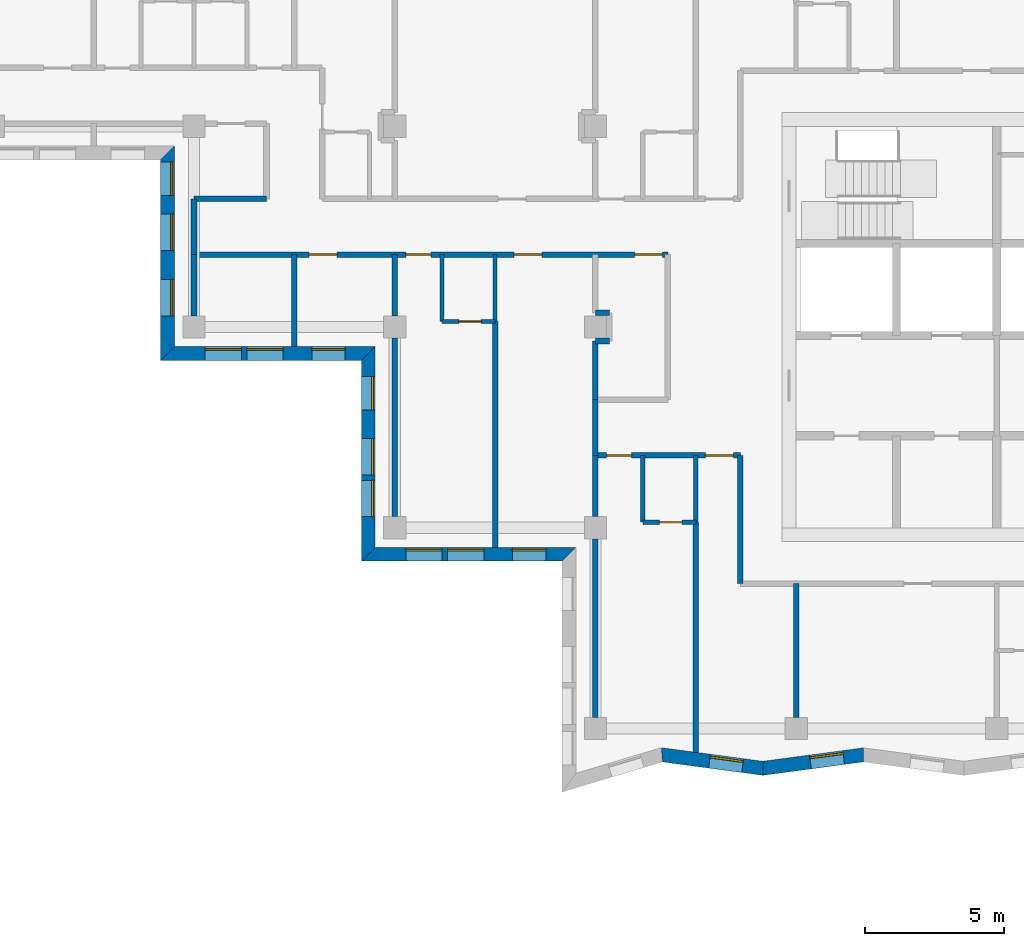
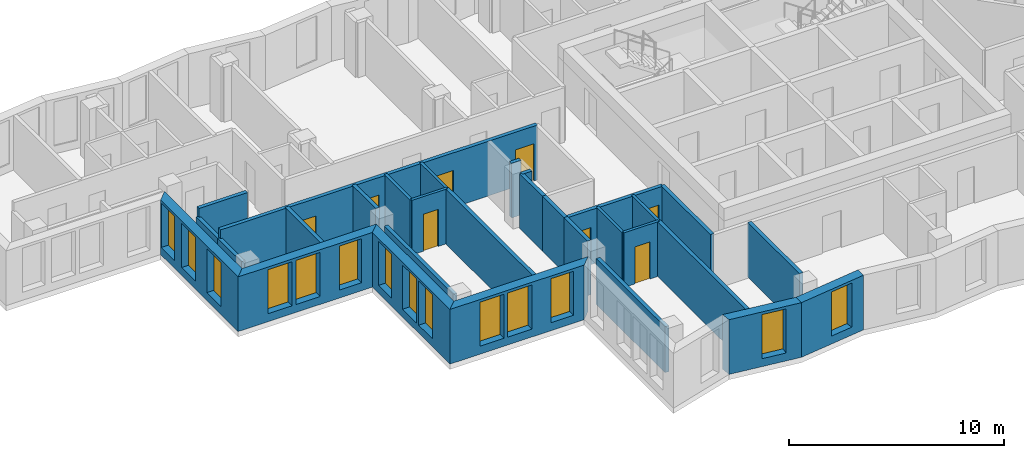
# One storey, part 2 of 12: 30 walls, 14 windows, 8 doors, 22 openings.
"""IFC4 building model written with IfcOpenShell, lengths in metres."""

from ifc_helpers import new_model, si_unit, direction, frame, frame_2d, origin, place, context, subcontext, project, spatial, polyline, rectangle, outline, extrude, material, layer, layer_set, type_object, element, fill, save


model = new_model("IFC4")

# Units and contexts
model_context = context("Model", 3, precision=1e-05, world=origin(), true_north=direction((0.0, 1.0)))
body_context = subcontext(model_context, "Body", "Model", "MODEL_VIEW")
ifc_project = project(units=[si_unit("LENGTHUNIT", "METRE"), si_unit("AREAUNIT", "SQUARE_METRE"), si_unit("VOLUMEUNIT", "CUBIC_METRE"), si_unit("PLANEANGLEUNIT", "RADIAN"), si_unit("MASSUNIT", "GRAM", prefix="KILO")], contexts=[model_context])

# Site, building, storey
site_placement = place(None, origin())
site = spatial("IfcSite", under=ifc_project, at=site_placement, CompositionType="ELEMENT")
building_placement = place(site_placement, origin())
building = spatial("IfcBuilding", under=site, at=building_placement, Name="Windrow Commons", CompositionType="ELEMENT")
storey_placement = place(building_placement, frame((0.0, 0.0, 210.0)))
storey = spatial("IfcBuildingStorey", under=building, at=storey_placement, Name="L57", CompositionType="ELEMENT", Elevation=210.0)

# Wall, openings, windows
ifc_material_1 = material(Name="Brick masonry, red clay brick", Category="masonry")
ifc_layer_1 = layer(ifc_material_1, 0.5)
ifc_layer_set_1 = layer_set([ifc_layer_1], Name="Brick facade wall 500")
wall_type_1 = type_object("IfcWallType", Name="Brick facade wall 500", PredefinedType="SOLIDWALL", material=ifc_layer_set_1)
wall_1_placement = place(storey_placement, frame((35.05, 63.85, 0.0), z_axis=(0.0, 0.0, 1.0), x_axis=(0.0, -1.0, 0.0)))
wall_1 = element("IfcWall", 1, at=wall_1_placement, inside=storey, type_object=wall_type_1, Name="Brick facade wall L57 33", PredefinedType="SOLIDWALL", context=body_context, shape_type="SweptSolid", body=[
    extrude(outline(polyline([(0.25, -0.25), (7.45, -0.25), (6.95, 0.25), (-0.25, 0.25), (0.25, -0.25)])), origin(), (0.0, 0.0, 1.0), 3.1),
])
opening_1_placement = place(wall_1_placement, frame((2.2, 0.0, 0.45)))
opening_1 = element("IfcOpeningElement", 2, at=opening_1_placement, cuts=wall_1, Name="Opening W1Q", PredefinedType="OPENING", context=body_context, shape_type="SweptSolid", body=[
    extrude(rectangle(XDim=1.3, YDim=2.5, at=frame_2d((0.65, 1.25))), frame((0.0, 0.26, 0.0), z_axis=(0.0, -1.0, 0.0), x_axis=(1.0, 0.0, 0.0)), (0.0, 0.0, 1.0), 0.52),
])
opening_2_placement = place(wall_1_placement, frame((4.55, 0.0, 0.45)))
opening_2 = element("IfcOpeningElement", 3, at=opening_2_placement, cuts=wall_1, Name="Opening W1Q", PredefinedType="OPENING", context=body_context, shape_type="SweptSolid", body=[
    extrude(rectangle(XDim=1.3, YDim=2.5, at=frame_2d((0.65, 1.25))), frame((0.0, 0.26, 0.0), z_axis=(0.0, -1.0, 0.0), x_axis=(1.0, 0.0, 0.0)), (0.0, 0.0, 1.0), 0.52),
])
opening_3_placement = place(wall_1_placement, frame((0.325, 0.0, 0.45)))
opening_3 = element("IfcOpeningElement", 4, at=opening_3_placement, cuts=wall_1, Name="Opening W7E", PredefinedType="OPENING", context=body_context, shape_type="SweptSolid", body=[
    extrude(rectangle(XDim=1.2, YDim=2.5, at=frame_2d((0.6, 1.25))), frame((0.0, 0.26, 0.0), z_axis=(0.0, -1.0, 0.0), x_axis=(1.0, 0.0, 0.0)), (0.0, 0.0, 1.0), 0.52),
])
ifc_material_2 = material(Name="Clear float glass in anodised aluminium frame", Category="aluminium")
window_type_1 = type_object("IfcWindowType", Name="Window W1Q pair 1300x2500", PartitioningType="SINGLE_PANEL", PredefinedType="WINDOW", material=ifc_material_2)
window_1_placement = place(opening_1_placement, origin())
window_1 = element("IfcWindow", 5, at=window_1_placement, inside=storey, type_object=window_type_1, Name="Window L57 33.1A", OverallHeight=2.5, OverallWidth=1.3, PartitioningType="SINGLE_PANEL", PredefinedType="WINDOW", context=body_context, shape_type="SweptSolid", body=[
    extrude(rectangle(XDim=1.3, YDim=2.5, at=frame_2d((0.65, 1.25))), frame((0.0, 0.18, 0.0), z_axis=(0.0, -1.0, 0.0), x_axis=(1.0, 0.0, 0.0)), (0.0, 0.0, 1.0), 0.06),
])
fill(opening_1, window_1)
window_2_placement = place(opening_2_placement, origin())
window_2 = element("IfcWindow", 6, at=window_2_placement, inside=storey, type_object=window_type_1, Name="Window L57 33.1B", OverallHeight=2.5, OverallWidth=1.3, PartitioningType="SINGLE_PANEL", PredefinedType="WINDOW", context=body_context, shape_type="SweptSolid", body=[
    extrude(rectangle(XDim=1.3, YDim=2.5, at=frame_2d((0.65, 1.25))), frame((0.0, 0.18, 0.0), z_axis=(0.0, -1.0, 0.0), x_axis=(1.0, 0.0, 0.0)), (0.0, 0.0, 1.0), 0.06),
])
fill(opening_2, window_2)
ifc_material_3 = material(Name="Clear float glass in anodised aluminium frame", Category="aluminium")
window_type_2 = type_object("IfcWindowType", Name="Window W7 notch 1200x2500", PartitioningType="SINGLE_PANEL", PredefinedType="WINDOW", material=ifc_material_3)
window_3_placement = place(opening_3_placement, origin())
window_3 = element("IfcWindow", 7, at=window_3_placement, inside=storey, type_object=window_type_2, Name="Window L57 33.2", OverallHeight=2.5, OverallWidth=1.2, PartitioningType="SINGLE_PANEL", PredefinedType="WINDOW", context=body_context, shape_type="SweptSolid", body=[
    extrude(rectangle(XDim=1.2, YDim=2.5, at=frame_2d((0.6, 1.25))), frame((0.0, 0.18, 0.0), z_axis=(0.0, -1.0, 0.0), x_axis=(1.0, 0.0, 0.0)), (0.0, 0.0, 1.0), 0.06),
])
fill(opening_3, window_3)

wall_2_placement = place(storey_placement, frame((35.05, 56.65, 0.0), z_axis=(0.0, 0.0, 1.0), x_axis=(1.0, 0.0, 0.0)))
wall_2 = element("IfcWall", 8, at=wall_2_placement, inside=storey, type_object=wall_type_1, Name="Brick facade wall L57 34", PredefinedType="SOLIDWALL", context=body_context, shape_type="SweptSolid", body=[
    extrude(outline(polyline([(-0.25, -0.25), (6.95, -0.25), (7.45, 0.25), (0.25, 0.25), (-0.25, -0.25)])), origin(), (0.0, 0.0, 1.0), 3.1),
])
opening_4_placement = place(wall_2_placement, frame((1.35, 0.0, 0.45)))
opening_4 = element("IfcOpeningElement", 9, at=opening_4_placement, cuts=wall_2, Name="Opening W1Q", PredefinedType="OPENING", context=body_context, shape_type="SweptSolid", body=[
    extrude(rectangle(XDim=1.3, YDim=2.5, at=frame_2d((0.65, 1.25))), frame((0.0, 0.26, 0.0), z_axis=(0.0, -1.0, 0.0), x_axis=(1.0, 0.0, 0.0)), (0.0, 0.0, 1.0), 0.52),
])
opening_5_placement = place(wall_2_placement, frame((2.85, 0.0, 0.45)))
opening_5 = element("IfcOpeningElement", 10, at=opening_5_placement, cuts=wall_2, Name="Opening W1Q", PredefinedType="OPENING", context=body_context, shape_type="SweptSolid", body=[
    extrude(rectangle(XDim=1.3, YDim=2.5, at=frame_2d((0.65, 1.25))), frame((0.0, 0.26, 0.0), z_axis=(0.0, -1.0, 0.0), x_axis=(1.0, 0.0, 0.0)), (0.0, 0.0, 1.0), 0.52),
])
opening_6_placement = place(wall_2_placement, frame((5.175, 0.0, 0.45)))
opening_6 = element("IfcOpeningElement", 11, at=opening_6_placement, cuts=wall_2, Name="Opening W7E", PredefinedType="OPENING", context=body_context, shape_type="SweptSolid", body=[
    extrude(rectangle(XDim=1.2, YDim=2.5, at=frame_2d((0.6, 1.25))), frame((0.0, 0.26, 0.0), z_axis=(0.0, -1.0, 0.0), x_axis=(1.0, 0.0, 0.0)), (0.0, 0.0, 1.0), 0.52),
])
window_4_placement = place(opening_4_placement, origin())
window_4 = element("IfcWindow", 12, at=window_4_placement, inside=storey, type_object=window_type_1, Name="Window L57 34.1A", OverallHeight=2.5, OverallWidth=1.3, PartitioningType="SINGLE_PANEL", PredefinedType="WINDOW", context=body_context, shape_type="SweptSolid", body=[
    extrude(rectangle(XDim=1.3, YDim=2.5, at=frame_2d((0.65, 1.25))), frame((0.0, 0.18, 0.0), z_axis=(0.0, -1.0, 0.0), x_axis=(1.0, 0.0, 0.0)), (0.0, 0.0, 1.0), 0.06),
])
fill(opening_4, window_4)
window_5_placement = place(opening_5_placement, origin())
window_5 = element("IfcWindow", 13, at=window_5_placement, inside=storey, type_object=window_type_1, Name="Window L57 34.1B", OverallHeight=2.5, OverallWidth=1.3, PartitioningType="SINGLE_PANEL", PredefinedType="WINDOW", context=body_context, shape_type="SweptSolid", body=[
    extrude(rectangle(XDim=1.3, YDim=2.5, at=frame_2d((0.65, 1.25))), frame((0.0, 0.18, 0.0), z_axis=(0.0, -1.0, 0.0), x_axis=(1.0, 0.0, 0.0)), (0.0, 0.0, 1.0), 0.06),
])
fill(opening_5, window_5)
window_6_placement = place(opening_6_placement, origin())
window_6 = element("IfcWindow", 14, at=window_6_placement, inside=storey, type_object=window_type_2, Name="Window L57 34.2", OverallHeight=2.5, OverallWidth=1.2, PartitioningType="SINGLE_PANEL", PredefinedType="WINDOW", context=body_context, shape_type="SweptSolid", body=[
    extrude(rectangle(XDim=1.2, YDim=2.5, at=frame_2d((0.6, 1.25))), frame((0.0, 0.18, 0.0), z_axis=(0.0, -1.0, 0.0), x_axis=(1.0, 0.0, 0.0)), (0.0, 0.0, 1.0), 0.06),
])
fill(opening_6, window_6)

wall_3_placement = place(storey_placement, frame((42.25, 56.65, 0.0), z_axis=(0.0, 0.0, 1.0), x_axis=(0.0, -1.0, 0.0)))
wall_3 = element("IfcWall", 15, at=wall_3_placement, inside=storey, type_object=wall_type_1, Name="Brick facade wall L57 35", PredefinedType="SOLIDWALL", context=body_context, shape_type="SweptSolid", body=[
    extrude(outline(polyline([(0.25, -0.25), (7.45, -0.25), (6.95, 0.25), (-0.25, 0.25), (0.25, -0.25)])), origin(), (0.0, 0.0, 1.0), 3.1),
])
opening_7_placement = place(wall_3_placement, frame((3.05, 0.0, 0.45)))
opening_7 = element("IfcOpeningElement", 16, at=opening_7_placement, cuts=wall_3, Name="Opening W1Q", PredefinedType="OPENING", context=body_context, shape_type="SweptSolid", body=[
    extrude(rectangle(XDim=1.3, YDim=2.5, at=frame_2d((0.65, 1.25))), frame((0.0, 0.26, 0.0), z_axis=(0.0, -1.0, 0.0), x_axis=(1.0, 0.0, 0.0)), (0.0, 0.0, 1.0), 0.52),
])
opening_8_placement = place(wall_3_placement, frame((4.55, 0.0, 0.45)))
opening_8 = element("IfcOpeningElement", 17, at=opening_8_placement, cuts=wall_3, Name="Opening W1Q", PredefinedType="OPENING", context=body_context, shape_type="SweptSolid", body=[
    extrude(rectangle(XDim=1.3, YDim=2.5, at=frame_2d((0.65, 1.25))), frame((0.0, 0.26, 0.0), z_axis=(0.0, -1.0, 0.0), x_axis=(1.0, 0.0, 0.0)), (0.0, 0.0, 1.0), 0.52),
])
opening_9_placement = place(wall_3_placement, frame((0.825, 0.0, 0.45)))
opening_9 = element("IfcOpeningElement", 18, at=opening_9_placement, cuts=wall_3, Name="Opening W7E", PredefinedType="OPENING", context=body_context, shape_type="SweptSolid", body=[
    extrude(rectangle(XDim=1.2, YDim=2.5, at=frame_2d((0.6, 1.25))), frame((0.0, 0.26, 0.0), z_axis=(0.0, -1.0, 0.0), x_axis=(1.0, 0.0, 0.0)), (0.0, 0.0, 1.0), 0.52),
])
window_7_placement = place(opening_7_placement, origin())
window_7 = element("IfcWindow", 19, at=window_7_placement, inside=storey, type_object=window_type_1, Name="Window L57 35.1A", OverallHeight=2.5, OverallWidth=1.3, PartitioningType="SINGLE_PANEL", PredefinedType="WINDOW", context=body_context, shape_type="SweptSolid", body=[
    extrude(rectangle(XDim=1.3, YDim=2.5, at=frame_2d((0.65, 1.25))), frame((0.0, 0.18, 0.0), z_axis=(0.0, -1.0, 0.0), x_axis=(1.0, 0.0, 0.0)), (0.0, 0.0, 1.0), 0.06),
])
fill(opening_7, window_7)
window_8_placement = place(opening_8_placement, origin())
window_8 = element("IfcWindow", 20, at=window_8_placement, inside=storey, type_object=window_type_1, Name="Window L57 35.1B", OverallHeight=2.5, OverallWidth=1.3, PartitioningType="SINGLE_PANEL", PredefinedType="WINDOW", context=body_context, shape_type="SweptSolid", body=[
    extrude(rectangle(XDim=1.3, YDim=2.5, at=frame_2d((0.65, 1.25))), frame((0.0, 0.18, 0.0), z_axis=(0.0, -1.0, 0.0), x_axis=(1.0, 0.0, 0.0)), (0.0, 0.0, 1.0), 0.06),
])
fill(opening_8, window_8)
window_9_placement = place(opening_9_placement, origin())
window_9 = element("IfcWindow", 21, at=window_9_placement, inside=storey, type_object=window_type_2, Name="Window L57 35.2", OverallHeight=2.5, OverallWidth=1.2, PartitioningType="SINGLE_PANEL", PredefinedType="WINDOW", context=body_context, shape_type="SweptSolid", body=[
    extrude(rectangle(XDim=1.2, YDim=2.5, at=frame_2d((0.6, 1.25))), frame((0.0, 0.18, 0.0), z_axis=(0.0, -1.0, 0.0), x_axis=(1.0, 0.0, 0.0)), (0.0, 0.0, 1.0), 0.06),
])
fill(opening_9, window_9)

wall_4_placement = place(storey_placement, frame((42.25, 49.45, 0.0), z_axis=(0.0, 0.0, 1.0), x_axis=(1.0, 0.0, 0.0)))
wall_4 = element("IfcWall", 22, at=wall_4_placement, inside=storey, type_object=wall_type_1, Name="Brick facade wall L57 36", PredefinedType="SOLIDWALL", context=body_context, shape_type="SweptSolid", body=[
    extrude(outline(polyline([(-0.25, -0.25), (6.95, -0.25), (7.45, 0.25), (0.25, 0.25), (-0.25, -0.25)])), origin(), (0.0, 0.0, 1.0), 3.1),
])
opening_10_placement = place(wall_4_placement, frame((1.35, 0.0, 0.45)))
opening_10 = element("IfcOpeningElement", 23, at=opening_10_placement, cuts=wall_4, Name="Opening W1Q", PredefinedType="OPENING", context=body_context, shape_type="SweptSolid", body=[
    extrude(rectangle(XDim=1.3, YDim=2.5, at=frame_2d((0.65, 1.25))), frame((0.0, 0.26, 0.0), z_axis=(0.0, -1.0, 0.0), x_axis=(1.0, 0.0, 0.0)), (0.0, 0.0, 1.0), 0.52),
])
opening_11_placement = place(wall_4_placement, frame((2.85, 0.0, 0.45)))
opening_11 = element("IfcOpeningElement", 24, at=opening_11_placement, cuts=wall_4, Name="Opening W1Q", PredefinedType="OPENING", context=body_context, shape_type="SweptSolid", body=[
    extrude(rectangle(XDim=1.3, YDim=2.5, at=frame_2d((0.65, 1.25))), frame((0.0, 0.26, 0.0), z_axis=(0.0, -1.0, 0.0), x_axis=(1.0, 0.0, 0.0)), (0.0, 0.0, 1.0), 0.52),
])
opening_12_placement = place(wall_4_placement, frame((5.175, 0.0, 0.45)))
opening_12 = element("IfcOpeningElement", 25, at=opening_12_placement, cuts=wall_4, Name="Opening W7E", PredefinedType="OPENING", context=body_context, shape_type="SweptSolid", body=[
    extrude(rectangle(XDim=1.2, YDim=2.5, at=frame_2d((0.6, 1.25))), frame((0.0, 0.26, 0.0), z_axis=(0.0, -1.0, 0.0), x_axis=(1.0, 0.0, 0.0)), (0.0, 0.0, 1.0), 0.52),
])
window_10_placement = place(opening_10_placement, origin())
window_10 = element("IfcWindow", 26, at=window_10_placement, inside=storey, type_object=window_type_1, Name="Window L57 36.1A", OverallHeight=2.5, OverallWidth=1.3, PartitioningType="SINGLE_PANEL", PredefinedType="WINDOW", context=body_context, shape_type="SweptSolid", body=[
    extrude(rectangle(XDim=1.3, YDim=2.5, at=frame_2d((0.65, 1.25))), frame((0.0, 0.18, 0.0), z_axis=(0.0, -1.0, 0.0), x_axis=(1.0, 0.0, 0.0)), (0.0, 0.0, 1.0), 0.06),
])
fill(opening_10, window_10)
window_11_placement = place(opening_11_placement, origin())
window_11 = element("IfcWindow", 27, at=window_11_placement, inside=storey, type_object=window_type_1, Name="Window L57 36.1B", OverallHeight=2.5, OverallWidth=1.3, PartitioningType="SINGLE_PANEL", PredefinedType="WINDOW", context=body_context, shape_type="SweptSolid", body=[
    extrude(rectangle(XDim=1.3, YDim=2.5, at=frame_2d((0.65, 1.25))), frame((0.0, 0.18, 0.0), z_axis=(0.0, -1.0, 0.0), x_axis=(1.0, 0.0, 0.0)), (0.0, 0.0, 1.0), 0.06),
])
fill(opening_11, window_11)
window_12_placement = place(opening_12_placement, origin())
window_12 = element("IfcWindow", 28, at=window_12_placement, inside=storey, type_object=window_type_2, Name="Window L57 36.2", OverallHeight=2.5, OverallWidth=1.2, PartitioningType="SINGLE_PANEL", PredefinedType="WINDOW", context=body_context, shape_type="SweptSolid", body=[
    extrude(rectangle(XDim=1.2, YDim=2.5, at=frame_2d((0.6, 1.25))), frame((0.0, 0.18, 0.0), z_axis=(0.0, -1.0, 0.0), x_axis=(1.0, 0.0, 0.0)), (0.0, 0.0, 1.0), 0.06),
])
fill(opening_12, window_12)

# Wall, opening, window
wall_5_placement = place(storey_placement, frame((52.7845, 42.2549, 0.0), z_axis=(0.0, 0.0, 1.0), x_axis=(0.9911788782, -0.1325308696, 0.0)))
wall_5 = element("IfcWall", 29, at=wall_5_placement, inside=storey, type_object=wall_type_1, Name="Brick facade wall L57 39", PredefinedType="SOLIDWALL", context=body_context, shape_type="SweptSolid", body=[
    extrude(outline(polyline([(0.0539, -0.25), (3.6907, -0.25), (3.6238, 0.25), (-0.0539, 0.25), (0.0539, -0.25)])), origin(), (0.0, 0.0, 1.0), 3.1),
])
opening_13_placement = place(wall_5_placement, frame((1.7251, 0.0, 0.45)))
opening_13 = element("IfcOpeningElement", 30, at=opening_13_placement, cuts=wall_5, Name="Opening W7E", PredefinedType="OPENING", context=body_context, shape_type="SweptSolid", body=[
    extrude(rectangle(XDim=1.2, YDim=2.5, at=frame_2d((0.6, 1.25))), frame((0.0, 0.26, 0.0), z_axis=(0.0, -1.0, 0.0), x_axis=(1.0, 0.0, 0.0)), (0.0, 0.0, 1.0), 0.52),
])
window_13_placement = place(opening_13_placement, origin())
window_13 = element("IfcWindow", 31, at=window_13_placement, inside=storey, type_object=window_type_2, Name="Window L57 39.1", OverallHeight=2.5, OverallWidth=1.2, PartitioningType="SINGLE_PANEL", PredefinedType="WINDOW", context=body_context, shape_type="SweptSolid", body=[
    extrude(rectangle(XDim=1.2, YDim=2.5, at=frame_2d((0.6, 1.25))), frame((0.0, 0.18, 0.0), z_axis=(0.0, -1.0, 0.0), x_axis=(1.0, 0.0, 0.0)), (0.0, 0.0, 1.0), 0.06),
])
fill(opening_13, window_13)

wall_6_placement = place(storey_placement, frame((56.4095, 41.7702, 0.0), z_axis=(0.0, 0.0, 1.0), x_axis=(0.991178361, 0.132534738, 0.0)))
wall_6 = element("IfcWall", 32, at=wall_6_placement, inside=storey, type_object=wall_type_1, Name="Brick facade wall L57 40", PredefinedType="SOLIDWALL", context=body_context, shape_type="SweptSolid", body=[
    extrude(outline(polyline([(-0.0334, -0.25), (3.6034, -0.25), (3.6702, 0.25), (0.0334, 0.25), (-0.0334, -0.25)])), origin(), (0.0, 0.0, 1.0), 3.1),
])
opening_14_placement = place(wall_6_placement, frame((1.719, 0.0, 0.45)))
opening_14 = element("IfcOpeningElement", 33, at=opening_14_placement, cuts=wall_6, Name="Opening W7E", PredefinedType="OPENING", context=body_context, shape_type="SweptSolid", body=[
    extrude(rectangle(XDim=1.2, YDim=2.5, at=frame_2d((0.6, 1.25))), frame((0.0, 0.26, 0.0), z_axis=(0.0, -1.0, 0.0), x_axis=(1.0, 0.0, 0.0)), (0.0, 0.0, 1.0), 0.52),
])
window_14_placement = place(opening_14_placement, origin())
window_14 = element("IfcWindow", 34, at=window_14_placement, inside=storey, type_object=window_type_2, Name="Window L57 40.1", OverallHeight=2.5, OverallWidth=1.2, PartitioningType="SINGLE_PANEL", PredefinedType="WINDOW", context=body_context, shape_type="SweptSolid", body=[
    extrude(rectangle(XDim=1.2, YDim=2.5, at=frame_2d((0.6, 1.25))), frame((0.0, 0.18, 0.0), z_axis=(0.0, -1.0, 0.0), x_axis=(1.0, 0.0, 0.0)), (0.0, 0.0, 1.0), 0.06),
])
fill(opening_14, window_14)

# Wall, openings, doors
ifc_material_4 = material(Name="Blockwork partition", Category="masonry")
ifc_layer_2 = layer(ifc_material_4, 0.2)
ifc_layer_set_2 = layer_set([ifc_layer_2], Name="IW-CORRIDOR-200")
wall_type_2 = type_object("IfcWallType", Name="IW-CORRIDOR-200", PredefinedType="PARTITIONING", material=ifc_layer_set_2)
wall_7_placement = place(storey_placement, frame((36.0, 60.2, 0.0), z_axis=(0.0, 0.0, 1.0), x_axis=(1.0, 0.0, 0.0)))
wall_7 = element("IfcWall", 35, at=wall_7_placement, inside=storey, type_object=wall_type_2, Name="W-L57-W002", PredefinedType="PARTITIONING", context=body_context, shape_type="SweptSolid", body=[
    extrude(rectangle(XDim=17.0, YDim=0.2, at=frame_2d((8.5, 0.0))), origin(), (0.0, 0.0, 1.0), 3.1),
])
opening_15_placement = place(wall_7_placement, frame((4.125, 0.0, 0.0)))
opening_15 = element("IfcOpeningElement", 36, at=opening_15_placement, cuts=wall_7, Name="Opening D310F", PredefinedType="OPENING", context=body_context, shape_type="SweptSolid", body=[
    extrude(rectangle(XDim=1.0, YDim=2.1, at=frame_2d((0.5, 1.05))), frame((0.0, 0.11, 0.0), z_axis=(0.0, -1.0, 0.0), x_axis=(1.0, 0.0, 0.0)), (0.0, 0.0, 1.0), 0.22),
])
opening_16_placement = place(wall_7_placement, frame((7.6, 0.0, 0.0)))
opening_16 = element("IfcOpeningElement", 37, at=opening_16_placement, cuts=wall_7, Name="Opening D109S", PredefinedType="OPENING", context=body_context, shape_type="SweptSolid", body=[
    extrude(rectangle(XDim=0.9, YDim=2.1, at=frame_2d((0.45, 1.05))), frame((0.0, 0.11, 0.0), z_axis=(0.0, -1.0, 0.0), x_axis=(1.0, 0.0, 0.0)), (0.0, 0.0, 1.0), 0.22),
])
opening_17_placement = place(wall_7_placement, frame((11.48, 0.0, 0.0)))
opening_17 = element("IfcOpeningElement", 38, at=opening_17_placement, cuts=wall_7, Name="Opening D310F", PredefinedType="OPENING", context=body_context, shape_type="SweptSolid", body=[
    extrude(rectangle(XDim=1.0, YDim=2.1, at=frame_2d((0.5, 1.05))), frame((0.0, 0.11, 0.0), z_axis=(0.0, -1.0, 0.0), x_axis=(1.0, 0.0, 0.0)), (0.0, 0.0, 1.0), 0.22),
])
opening_18_placement = place(wall_7_placement, frame((15.805, 0.0, 0.0)))
opening_18 = element("IfcOpeningElement", 39, at=opening_18_placement, cuts=wall_7, Name="Opening D410F", PredefinedType="OPENING", context=body_context, shape_type="SweptSolid", body=[
    extrude(rectangle(XDim=1.0, YDim=2.1, at=frame_2d((0.5, 1.05))), frame((0.0, 0.11, 0.0), z_axis=(0.0, -1.0, 0.0), x_axis=(1.0, 0.0, 0.0)), (0.0, 0.0, 1.0), 0.22),
])
ifc_material_5 = material(Name="Timber door leaf", Category="wood")
door_type_1 = type_object("IfcDoorType", Name="DT-AMENITY-1000", OperationType="SINGLE_SWING_LEFT", PredefinedType="DOOR", material=ifc_material_5)
door_1_placement = place(opening_15_placement, origin())
door_1 = element("IfcDoor", 40, at=door_1_placement, inside=storey, type_object=door_type_1, Name="D-L57-D013", OperationType="SINGLE_SWING_RIGHT", OverallHeight=2.1, OverallWidth=1.0, PredefinedType="DOOR", context=body_context, shape_type="SweptSolid", body=[
    extrude(rectangle(XDim=1.0, YDim=2.1, at=frame_2d((0.5, 1.05))), frame((0.0, 0.025, 0.0), z_axis=(0.0, -1.0, 0.0), x_axis=(1.0, 0.0, 0.0)), (0.0, 0.0, 1.0), 0.05),
])
fill(opening_15, door_1)
door_2_placement = place(opening_17_placement, origin())
door_2 = element("IfcDoor", 41, at=door_2_placement, inside=storey, type_object=door_type_1, Name="D-L57-D025", OperationType="SINGLE_SWING_RIGHT", OverallHeight=2.1, OverallWidth=1.0, PredefinedType="DOOR", context=body_context, shape_type="SweptSolid", body=[
    extrude(rectangle(XDim=1.0, YDim=2.1, at=frame_2d((0.5, 1.05))), frame((0.0, 0.025, 0.0), z_axis=(0.0, -1.0, 0.0), x_axis=(1.0, 0.0, 0.0)), (0.0, 0.0, 1.0), 0.05),
])
fill(opening_17, door_2)
ifc_material_6 = material(Name="Timber door leaf", Category="wood")
door_type_2 = type_object("IfcDoorType", Name="DT-BEDROOM-900", OperationType="SINGLE_SWING_LEFT", PredefinedType="DOOR", material=ifc_material_6)
door_3_placement = place(opening_16_placement, origin())
door_3 = element("IfcDoor", 42, at=door_3_placement, inside=storey, type_object=door_type_2, Name="D-L57-D014", OperationType="SINGLE_SWING_LEFT", OverallHeight=2.1, OverallWidth=0.9, PredefinedType="DOOR", context=body_context, shape_type="SweptSolid", body=[
    extrude(rectangle(XDim=0.9, YDim=2.1, at=frame_2d((0.45, 1.05))), frame((0.0, 0.025, 0.0), z_axis=(0.0, -1.0, 0.0), x_axis=(1.0, 0.0, 0.0)), (0.0, 0.0, 1.0), 0.05),
])
fill(opening_16, door_3)
ifc_material_7 = material(Name="Timber door leaf", Category="wood")
door_type_3 = type_object("IfcDoorType", Name="DT-SERVICE-1000", OperationType="SINGLE_SWING_LEFT", PredefinedType="DOOR", material=ifc_material_7)
door_4_placement = place(opening_18_placement, origin())
door_4 = element("IfcDoor", 43, at=door_4_placement, inside=storey, type_object=door_type_3, Name="D-L57-D026", OperationType="SINGLE_SWING_LEFT", OverallHeight=2.1, OverallWidth=1.0, PredefinedType="DOOR", context=body_context, shape_type="SweptSolid", body=[
    extrude(rectangle(XDim=1.0, YDim=2.1, at=frame_2d((0.5, 1.05))), frame((0.0, 0.025, 0.0), z_axis=(0.0, -1.0, 0.0), x_axis=(1.0, 0.0, 0.0)), (0.0, 0.0, 1.0), 0.05),
])
fill(opening_18, door_4)

wall_8_placement = place(storey_placement, frame((50.4, 53.0, 0.0), z_axis=(0.0, 0.0, 1.0), x_axis=(1.0, 0.0, 0.0)))
wall_8 = element("IfcWall", 44, at=wall_8_placement, inside=storey, type_object=wall_type_2, Name="W-L57-W032", PredefinedType="PARTITIONING", context=body_context, shape_type="SweptSolid", body=[
    extrude(rectangle(XDim=5.2, YDim=0.2, at=frame_2d((2.6, 0.0))), origin(), (0.0, 0.0, 1.0), 3.1),
])
opening_19_placement = place(wall_8_placement, frame((0.4, 0.0, 0.0)))
opening_19 = element("IfcOpeningElement", 45, at=opening_19_placement, cuts=wall_8, Name="Opening D109S", PredefinedType="OPENING", context=body_context, shape_type="SweptSolid", body=[
    extrude(rectangle(XDim=0.9, YDim=2.1, at=frame_2d((0.45, 1.05))), frame((0.0, 0.11, 0.0), z_axis=(0.0, -1.0, 0.0), x_axis=(1.0, 0.0, 0.0)), (0.0, 0.0, 1.0), 0.22),
])
opening_20_placement = place(wall_8_placement, frame((3.9455, 0.0, 0.0)))
opening_20 = element("IfcOpeningElement", 46, at=opening_20_placement, cuts=wall_8, Name="Opening D310F", PredefinedType="OPENING", context=body_context, shape_type="SweptSolid", body=[
    extrude(rectangle(XDim=1.0, YDim=2.1, at=frame_2d((0.5, 1.05))), frame((0.0, 0.11, 0.0), z_axis=(0.0, -1.0, 0.0), x_axis=(1.0, 0.0, 0.0)), (0.0, 0.0, 1.0), 0.22),
])
door_5_placement = place(opening_20_placement, origin())
door_5 = element("IfcDoor", 47, at=door_5_placement, inside=storey, type_object=door_type_1, Name="D-L57-D029", OperationType="SINGLE_SWING_RIGHT", OverallHeight=2.1, OverallWidth=1.0, PredefinedType="DOOR", context=body_context, shape_type="SweptSolid", body=[
    extrude(rectangle(XDim=1.0, YDim=2.1, at=frame_2d((0.5, 1.05))), frame((0.0, 0.025, 0.0), z_axis=(0.0, -1.0, 0.0), x_axis=(1.0, 0.0, 0.0)), (0.0, 0.0, 1.0), 0.05),
])
fill(opening_20, door_5)
door_6_placement = place(opening_19_placement, origin())
door_6 = element("IfcDoor", 48, at=door_6_placement, inside=storey, type_object=door_type_2, Name="D-L57-D027", OperationType="SINGLE_SWING_LEFT", OverallHeight=2.1, OverallWidth=0.9, PredefinedType="DOOR", context=body_context, shape_type="SweptSolid", body=[
    extrude(rectangle(XDim=0.9, YDim=2.1, at=frame_2d((0.45, 1.05))), frame((0.0, 0.025, 0.0), z_axis=(0.0, -1.0, 0.0), x_axis=(1.0, 0.0, 0.0)), (0.0, 0.0, 1.0), 0.05),
])
fill(opening_19, door_6)

# Walls
wall_9_placement = place(storey_placement, frame((55.6, 48.4, 0.0), z_axis=(0.0, 0.0, 1.0), x_axis=(0.0, 1.0, 0.0)))
element("IfcWall", 49, at=wall_9_placement, inside=storey, type_object=wall_type_2, Name="W-L57-W040", PredefinedType="PARTITIONING", context=body_context, shape_type="SweptSolid", body=[
    extrude(rectangle(XDim=4.6, YDim=0.2, at=frame_2d((2.3, 0.0))), origin(), (0.0, 0.0, 1.0), 3.1),
])
wall_10_placement = place(storey_placement, frame((36.002, 62.2, 0.0), z_axis=(0.0, 0.0, 1.0), x_axis=(1.0, 0.0, 0.0)))
element("IfcWall", 50, at=wall_10_placement, inside=storey, type_object=wall_type_2, Name="W-L57-W057", PredefinedType="PARTITIONING", context=body_context, shape_type="SweptSolid", body=[
    extrude(rectangle(XDim=2.598, YDim=0.2, at=frame_2d((1.299, 0.0))), origin(), (0.0, 0.0, 1.0), 3.1),
])
wall_11_placement = place(storey_placement, frame((36.0, 60.2, 0.0), z_axis=(0.0, 0.0, 1.0), x_axis=(0.0, 1.0, 0.0)))
element("IfcWall", 51, at=wall_11_placement, inside=storey, type_object=wall_type_2, Name="W-L57-W101", PredefinedType="PARTITIONING", context=body_context, shape_type="SweptSolid", body=[
    extrude(rectangle(XDim=2.0, YDim=0.2, at=frame_2d((1.0, 0.0))), origin(), (0.0, 0.0, 1.0), 2.6),
])
wall_12_placement = place(storey_placement, frame((50.4, 53.0, 0.0), z_axis=(0.0, 0.0, 1.0), x_axis=(0.0, 1.0, 0.0)))
element("IfcWall", 52, at=wall_12_placement, inside=storey, type_object=wall_type_2, Name="W-L57-W102", PredefinedType="PARTITIONING", context=body_context, shape_type="SweptSolid", body=[
    extrude(rectangle(XDim=2.0, YDim=0.2, at=frame_2d((1.0, 0.0))), origin(), (0.0, 0.0, 1.0), 3.1),
])
ifc_material_8 = material(Name="Blockwork partition", Category="masonry")
ifc_layer_3 = layer(ifc_material_8, 0.15)
ifc_layer_set_3 = layer_set([ifc_layer_3], Name="IW-ENSUITE-150")
wall_type_3 = type_object("IfcWallType", Name="IW-ENSUITE-150", PredefinedType="PARTITIONING", material=ifc_layer_set_3)
for number, where, z_axis, x_axis, name in (
    (53, (44.9, 57.8, 0.0), (0.0, 0.0, 1.0), (0.0, 1.0, 0.0), "W-L57-W062"),
    (54, (46.8, 57.8, 0.0), (0.0, 0.0, 1.0), (0.0, 1.0, 0.0), "W-L57-W063"),
    (55, (52.1, 50.6, 0.0), (0.0, 0.0, 1.0), (0.0, 1.0, 0.0), "W-L57-W068"),
    (56, (54.0, 50.6, 0.0), (0.0, 0.0, 1.0), (0.0, 1.0, 0.0), "W-L57-W069"),
):
    element("IfcWall", number, at=place(storey_placement, frame(where, z_axis=z_axis, x_axis=x_axis)), inside=storey, type_object=wall_type_3, Name=name, PredefinedType="PARTITIONING", context=body_context, shape_type="SweptSolid", body=[
        extrude(rectangle(XDim=2.4, YDim=0.15, at=frame_2d((1.2, 0.0))), origin(), (0.0, 0.0, 1.0), 3.1),
    ])

# Wall, opening, door
wall_13_placement = place(storey_placement, frame((44.9, 57.8, 0.0), z_axis=(0.0, 0.0, 1.0), x_axis=(1.0, 0.0, 0.0)))
wall_13 = element("IfcWall", 57, at=wall_13_placement, inside=storey, type_object=wall_type_3, Name="W-L57-W111", PredefinedType="PARTITIONING", context=body_context, shape_type="SweptSolid", body=[
    extrude(rectangle(XDim=1.9, YDim=0.15, at=frame_2d((0.95, 0.0))), origin(), (0.0, 0.0, 1.0), 3.1),
])
opening_21_placement = place(wall_13_placement, frame((0.5979, 0.0, 0.0)))
opening_21 = element("IfcOpeningElement", 58, at=opening_21_placement, cuts=wall_13, Name="Opening D208N", PredefinedType="OPENING", context=body_context, shape_type="SweptSolid", body=[
    extrude(rectangle(XDim=0.8, YDim=2.1, at=frame_2d((0.4, 1.05))), frame((0.0, 0.085, 0.0), z_axis=(0.0, -1.0, 0.0), x_axis=(1.0, 0.0, 0.0)), (0.0, 0.0, 1.0), 0.17),
])
ifc_material_9 = material(Name="Timber door leaf", Category="wood")
door_type_4 = type_object("IfcDoorType", Name="DT-ENSUITE-800", OperationType="SINGLE_SWING_LEFT", PredefinedType="DOOR", material=ifc_material_9)
door_7_placement = place(opening_21_placement, origin())
door_7 = element("IfcDoor", 59, at=door_7_placement, inside=storey, type_object=door_type_4, Name="D-L57-D015", OperationType="SINGLE_SWING_RIGHT", OverallHeight=2.1, OverallWidth=0.8, PredefinedType="DOOR", context=body_context, shape_type="SweptSolid", body=[
    extrude(rectangle(XDim=0.8, YDim=2.1, at=frame_2d((0.4, 1.05))), frame((0.0, 0.025, 0.0), z_axis=(0.0, -1.0, 0.0), x_axis=(1.0, 0.0, 0.0)), (0.0, 0.0, 1.0), 0.05),
])
fill(opening_21, door_7)

wall_14_placement = place(storey_placement, frame((52.1, 50.6, 0.0), z_axis=(0.0, 0.0, 1.0), x_axis=(1.0, 0.0, 0.0)))
wall_14 = element("IfcWall", 60, at=wall_14_placement, inside=storey, type_object=wall_type_3, Name="W-L57-W112", PredefinedType="PARTITIONING", context=body_context, shape_type="SweptSolid", body=[
    extrude(rectangle(XDim=1.9, YDim=0.15, at=frame_2d((0.95, 0.0))), origin(), (0.0, 0.0, 1.0), 3.1),
])
opening_22_placement = place(wall_14_placement, frame((0.5979, 0.0, 0.0)))
opening_22 = element("IfcOpeningElement", 61, at=opening_22_placement, cuts=wall_14, Name="Opening D208N", PredefinedType="OPENING", context=body_context, shape_type="SweptSolid", body=[
    extrude(rectangle(XDim=0.8, YDim=2.1, at=frame_2d((0.4, 1.05))), frame((0.0, 0.085, 0.0), z_axis=(0.0, -1.0, 0.0), x_axis=(1.0, 0.0, 0.0)), (0.0, 0.0, 1.0), 0.17),
])
door_8_placement = place(opening_22_placement, origin())
door_8 = element("IfcDoor", 62, at=door_8_placement, inside=storey, type_object=door_type_4, Name="D-L57-D028", OperationType="SINGLE_SWING_RIGHT", OverallHeight=2.1, OverallWidth=0.8, PredefinedType="DOOR", context=body_context, shape_type="SweptSolid", body=[
    extrude(rectangle(XDim=0.8, YDim=2.1, at=frame_2d((0.4, 1.05))), frame((0.0, 0.025, 0.0), z_axis=(0.0, -1.0, 0.0), x_axis=(1.0, 0.0, 0.0)), (0.0, 0.0, 1.0), 0.05),
])
fill(opening_22, door_8)

# Walls
ifc_material_10 = material(Name="Blockwork partition", Category="masonry")
ifc_layer_4 = layer(ifc_material_10, 0.2)
ifc_layer_set_4 = layer_set([ifc_layer_4], Name="IW-PARTY-200")
wall_type_4 = type_object("IfcWallType", Name="IW-PARTY-200", PredefinedType="PARTITIONING", material=ifc_layer_set_4)
wall_15_placement = place(storey_placement, frame((54.0, 42.3446, 0.0), z_axis=(0.0, 0.0, 1.0), x_axis=(0.0, 1.0, 0.0)))
element("IfcWall", 63, at=wall_15_placement, inside=storey, type_object=wall_type_4, Name="W-L57-W008", PredefinedType="PARTITIONING", context=body_context, shape_type="SweptSolid", body=[
    extrude(rectangle(XDim=8.2554, YDim=0.2, at=frame_2d((4.1277, 0.0))), origin(), (0.0, 0.0, 1.0), 3.1),
])
wall_16_placement = place(storey_placement, frame((46.8, 49.7, 0.0), z_axis=(0.0, 0.0, 1.0), x_axis=(0.0, 1.0, 0.0)))
element("IfcWall", 64, at=wall_16_placement, inside=storey, type_object=wall_type_4, Name="W-L57-W014", PredefinedType="PARTITIONING", context=body_context, shape_type="SweptSolid", body=[
    extrude(rectangle(XDim=8.1, YDim=0.2, at=frame_2d((4.05, 0.0))), origin(), (0.0, 0.0, 1.0), 3.1),
])
for number, where, z_axis, x_axis, name in (
    (65, (43.2, 50.8, 0.0), (0.0, 0.0, 1.0), (0.0, 1.0, 0.0), "W-L57-W016"),
    (66, (50.4, 43.6, 0.0), (0.0, 0.0, 1.0), (0.0, 1.0, 0.0), "W-L57-W018"),
):
    element("IfcWall", number, at=place(storey_placement, frame(where, z_axis=z_axis, x_axis=x_axis)), inside=storey, type_object=wall_type_4, Name=name, PredefinedType="PARTITIONING", context=body_context, shape_type="SweptSolid", body=[
        extrude(rectangle(XDim=6.4, YDim=0.2, at=frame_2d((3.2, 0.0))), origin(), (0.0, 0.0, 1.0), 2.6),
    ])
wall_17_placement = place(storey_placement, frame((57.6, 43.6, 0.0), z_axis=(0.0, 0.0, 1.0), x_axis=(0.0, 1.0, 0.0)))
element("IfcWall", 67, at=wall_17_placement, inside=storey, type_object=wall_type_4, Name="W-L57-W036", PredefinedType="PARTITIONING", context=body_context, shape_type="SweptSolid", body=[
    extrude(rectangle(XDim=4.8, YDim=0.2, at=frame_2d((2.4, 0.0))), origin(), (0.0, 0.0, 1.0), 3.1),
])
wall_18_placement = place(storey_placement, frame((39.6, 56.9, 0.0), z_axis=(0.0, 0.0, 1.0), x_axis=(0.0, 1.0, 0.0)))
element("IfcWall", 68, at=wall_18_placement, inside=storey, type_object=wall_type_4, Name="W-L57-W049", PredefinedType="PARTITIONING", context=body_context, shape_type="SweptSolid", body=[
    extrude(rectangle(XDim=3.3, YDim=0.2, at=frame_2d((1.65, 0.0))), origin(), (0.0, 0.0, 1.0), 3.1),
])
wall_19_placement = place(storey_placement, frame((36.0, 58.0, 0.0), z_axis=(0.0, 0.0, 1.0), x_axis=(0.0, 1.0, 0.0)))
element("IfcWall", 69, at=wall_19_placement, inside=storey, type_object=wall_type_4, Name="W-L57-W089", PredefinedType="PARTITIONING", context=body_context, shape_type="SweptSolid", body=[
    extrude(rectangle(XDim=2.2, YDim=0.2, at=frame_2d((1.1, 0.0))), origin(), (0.0, 0.0, 1.0), 2.6),
])
for number, where, z_axis, x_axis, name in (
    (70, (43.2, 58.0, 0.0), (0.0, 0.0, 1.0), (0.0, 1.0, 0.0), "W-L57-W090"),
    (71, (50.4, 50.8, 0.0), (0.0, 0.0, 1.0), (0.0, 1.0, 0.0), "W-L57-W091"),
):
    element("IfcWall", number, at=place(storey_placement, frame(where, z_axis=z_axis, x_axis=x_axis)), inside=storey, type_object=wall_type_4, Name=name, PredefinedType="PARTITIONING", context=body_context, shape_type="SweptSolid", body=[
        extrude(rectangle(XDim=2.2, YDim=0.2, at=frame_2d((1.1, 0.0))), origin(), (0.0, 0.0, 1.0), 3.1),
    ])
wall_20_placement = place(storey_placement, frame((50.4, 55.0, 0.0), z_axis=(0.0, 0.0, 1.0), x_axis=(0.0, 1.0, 0.0)))
element("IfcWall", 72, at=wall_20_placement, inside=storey, type_object=wall_type_4, Name="W-L57-W096", PredefinedType="PARTITIONING", context=body_context, shape_type="SweptSolid", body=[
    extrude(rectangle(XDim=2.096, YDim=0.2, at=frame_2d((1.048, 0.0))), origin(), (0.0, 0.0, 1.0), 3.1),
])
for number, where, z_axis, x_axis, name in (
    (73, (50.4, 58.11, 0.0), (0.0, 0.0, 1.0), (1.0, 0.0, 0.0), "W-L57-W152"),
    (74, (50.4, 57.1, 0.0), (0.0, 0.0, 1.0), (1.0, 0.0, 0.0), "W-L57-W153"),
):
    element("IfcWall", number, at=place(storey_placement, frame(where, z_axis=z_axis, x_axis=x_axis)), inside=storey, type_object=wall_type_4, Name=name, PredefinedType="PARTITIONING", context=body_context, shape_type="SweptSolid", body=[
        extrude(rectangle(XDim=0.5, YDim=0.2, at=frame_2d((0.25, 0.0))), origin(), (0.0, 0.0, 1.0), 3.1),
    ])

save(model, "model.ifc")
